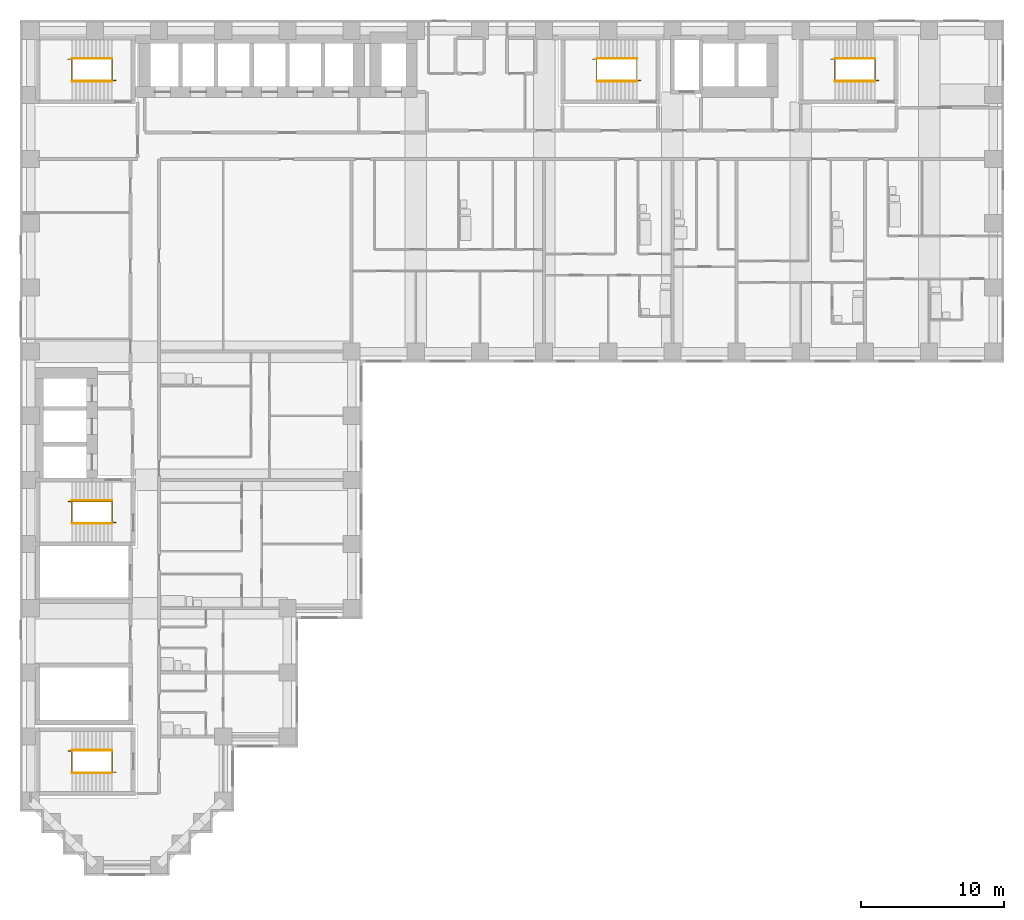
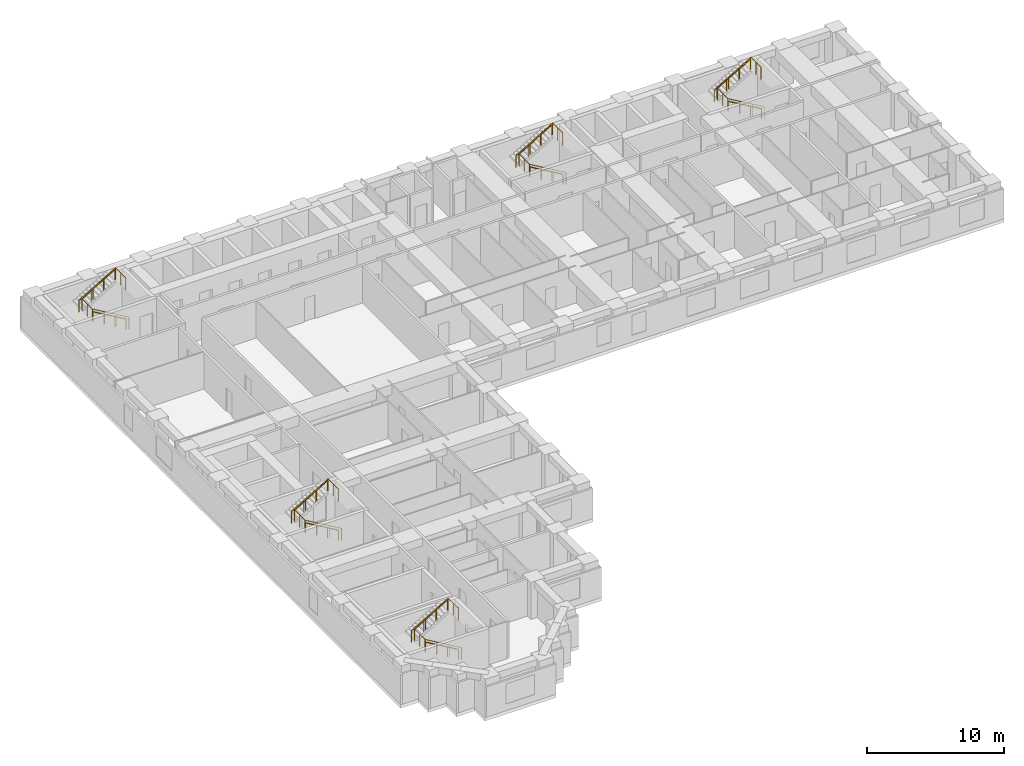
# One storey, part 11 of 12: 15 railings.
"""IFC4 building model written with IfcOpenShell, lengths in metres."""

from ifc_helpers import new_model, si_unit, direction, frame, origin, origin_2d, place, context, subcontext, project, spatial, circle, extrude, material, type_object, element, save


model = new_model("IFC4")

# Units and contexts
model_context = context("Model", 3, precision=1e-05, world=origin(), true_north=direction((0.0, 1.0)))
body_context = subcontext(model_context, "Body", "Model", "MODEL_VIEW")
ifc_project = project(units=[si_unit("LENGTHUNIT", "METRE"), si_unit("AREAUNIT", "SQUARE_METRE"), si_unit("VOLUMEUNIT", "CUBIC_METRE"), si_unit("PLANEANGLEUNIT", "RADIAN"), si_unit("MASSUNIT", "GRAM", prefix="KILO")], contexts=[model_context])

# Site, building, storey
site_placement = place(None, origin())
site = spatial("IfcSite", under=ifc_project, at=site_placement, CompositionType="ELEMENT")
building_placement = place(site_placement, origin())
building = spatial("IfcBuilding", under=site, at=building_placement, Name="Firuza Court", CompositionType="ELEMENT")
storey_placement = place(building_placement, frame((0.0, 0.0, 65.0)))
storey = spatial("IfcBuildingStorey", under=building, at=storey_placement, Name="L15", CompositionType="ELEMENT", Elevation=65.0)

# Railings
ifc_material_1 = material(Name="Steel S355", Category="steel")
railing_type_1 = type_object("IfcRailingType", Name="Handrail 900", PredefinedType="HANDRAIL", material=ifc_material_1)
railing_1_placement = place(storey_placement, frame((42.5, 54.949951171875, 0.16357421875)))
element("IfcRailing", 1, at=railing_1_placement, inside=storey, type_object=railing_type_1, Name="Handrail S1 flight 1", PredefinedType="HANDRAIL", context=body_context, shape_type="SweptSolid", body=[
    extrude(circle(Radius=0.02490234375, at=origin_2d()), frame((0.0, 0.0, 0.875), z_axis=(-0.863360870873, 0.0, 0.504586966384), x_axis=(0.0, -1.0, 0.0)), (0.0, 0.0, 1.0), 3.2431640625),
    extrude(circle(Radius=0.02001953125, at=origin_2d()), origin(), (0.0, 0.0, 1.0), 0.849853515625),
    extrude(circle(Radius=0.02001953125, at=origin_2d()), frame((-0.933349609375, 0.0, 0.54541015625)), (0.0, 0.0, 1.0), 0.849853515625),
    extrude(circle(Radius=0.02001953125, at=origin_2d()), frame((-1.86669921875, 0.0, 1.091064453125)), (0.0, 0.0, 1.0), 0.849853515625),
    extrude(circle(Radius=0.02001953125, at=origin_2d()), frame((-2.800048828125, 0.0, 1.636474609375)), (0.0, 0.0, 1.0), 0.849853515625),
])
railing_2_placement = place(storey_placement, frame((39.699951171875, 56.550048828125, 1.963623046875)))
element("IfcRailing", 2, at=railing_2_placement, inside=storey, type_object=railing_type_1, Name="Handrail S1 flight 2", PredefinedType="HANDRAIL", context=body_context, shape_type="SweptSolid", body=[
    extrude(circle(Radius=0.02490234375, at=origin_2d()), frame((0.0, 0.0, 0.875), z_axis=(0.863360870873, 0.0, 0.504586966384), x_axis=(0.0, 1.0, 0.0)), (0.0, 0.0, 1.0), 3.2431640625),
    extrude(circle(Radius=0.02001953125, at=origin_2d()), origin(), (0.0, 0.0, 1.0), 0.849853515625),
    extrude(circle(Radius=0.02001953125, at=origin_2d()), frame((0.933349609375, 0.0, 0.54541015625)), (0.0, 0.0, 1.0), 0.849853515625),
    extrude(circle(Radius=0.02001953125, at=origin_2d()), frame((1.86669921875, 0.0, 1.091064453125)), (0.0, 0.0, 1.0), 0.849853515625),
    extrude(circle(Radius=0.02001953125, at=origin_2d()), frame((2.800048828125, 0.0, 1.636474609375)), (0.0, 0.0, 1.0), 0.849853515625),
])
railing_3_placement = place(storey_placement, frame((5.699951171875, 23.949951171875, 0.16357421875)))
element("IfcRailing", 3, at=railing_3_placement, inside=storey, type_object=railing_type_1, Name="Handrail S2 flight 1", PredefinedType="HANDRAIL", context=body_context, shape_type="SweptSolid", body=[
    extrude(circle(Radius=0.02490234375, at=origin_2d()), frame((0.0, 0.0, 0.875), z_axis=(-0.863360870873, 0.0, 0.504586966384), x_axis=(0.0, -1.0, 0.0)), (0.0, 0.0, 1.0), 3.2431640625),
    extrude(circle(Radius=0.02001953125, at=origin_2d()), origin(), (0.0, 0.0, 1.0), 0.849853515625),
    extrude(circle(Radius=0.02001953125, at=origin_2d()), frame((-0.933349609375, 0.0, 0.54541015625)), (0.0, 0.0, 1.0), 0.849853515625),
    extrude(circle(Radius=0.02001953125, at=origin_2d()), frame((-1.86669921875, 0.0, 1.091064453125)), (0.0, 0.0, 1.0), 0.849853515625),
    extrude(circle(Radius=0.02001953125, at=origin_2d()), frame((-2.800048828125, 0.0, 1.636474609375)), (0.0, 0.0, 1.0), 0.849853515625),
])
railing_4_placement = place(storey_placement, frame((2.89990234375, 25.550048828125, 1.963623046875)))
element("IfcRailing", 4, at=railing_4_placement, inside=storey, type_object=railing_type_1, Name="Handrail S2 flight 2", PredefinedType="HANDRAIL", context=body_context, shape_type="SweptSolid", body=[
    extrude(circle(Radius=0.02490234375, at=origin_2d()), frame((0.0, 0.0, 0.875), z_axis=(0.863360870873, 0.0, 0.504586966384), x_axis=(0.0, 1.0, 0.0)), (0.0, 0.0, 1.0), 3.2431640625),
    extrude(circle(Radius=0.02001953125, at=origin_2d()), origin(), (0.0, 0.0, 1.0), 0.849853515625),
    extrude(circle(Radius=0.02001953125, at=origin_2d()), frame((0.933349609375, 0.0, 0.54541015625)), (0.0, 0.0, 1.0), 0.849853515625),
    extrude(circle(Radius=0.02001953125, at=origin_2d()), frame((1.86669921875, 0.0, 1.091064453125)), (0.0, 0.0, 1.0), 0.849853515625),
    extrude(circle(Radius=0.02001953125, at=origin_2d()), frame((2.800048828125, 0.0, 1.636474609375)), (0.0, 0.0, 1.0), 0.849853515625),
])
railing_5_placement = place(storey_placement, frame((5.699951171875, 54.949951171875, 0.16357421875)))
element("IfcRailing", 5, at=railing_5_placement, inside=storey, type_object=railing_type_1, Name="Handrail S3 flight 1", PredefinedType="HANDRAIL", context=body_context, shape_type="SweptSolid", body=[
    extrude(circle(Radius=0.02490234375, at=origin_2d()), frame((0.0, 0.0, 0.875), z_axis=(-0.863360870873, 0.0, 0.504586966384), x_axis=(0.0, -1.0, 0.0)), (0.0, 0.0, 1.0), 3.2431640625),
    extrude(circle(Radius=0.02001953125, at=origin_2d()), origin(), (0.0, 0.0, 1.0), 0.849853515625),
    extrude(circle(Radius=0.02001953125, at=origin_2d()), frame((-0.933349609375, 0.0, 0.54541015625)), (0.0, 0.0, 1.0), 0.849853515625),
    extrude(circle(Radius=0.02001953125, at=origin_2d()), frame((-1.86669921875, 0.0, 1.091064453125)), (0.0, 0.0, 1.0), 0.849853515625),
    extrude(circle(Radius=0.02001953125, at=origin_2d()), frame((-2.800048828125, 0.0, 1.636474609375)), (0.0, 0.0, 1.0), 0.849853515625),
])
railing_6_placement = place(storey_placement, frame((2.89990234375, 56.550048828125, 1.963623046875)))
element("IfcRailing", 6, at=railing_6_placement, inside=storey, type_object=railing_type_1, Name="Handrail S3 flight 2", PredefinedType="HANDRAIL", context=body_context, shape_type="SweptSolid", body=[
    extrude(circle(Radius=0.02490234375, at=origin_2d()), frame((0.0, 0.0, 0.875), z_axis=(0.863360870873, 0.0, 0.504586966384), x_axis=(0.0, 1.0, 0.0)), (0.0, 0.0, 1.0), 3.2431640625),
    extrude(circle(Radius=0.02001953125, at=origin_2d()), origin(), (0.0, 0.0, 1.0), 0.849853515625),
    extrude(circle(Radius=0.02001953125, at=origin_2d()), frame((0.933349609375, 0.0, 0.54541015625)), (0.0, 0.0, 1.0), 0.849853515625),
    extrude(circle(Radius=0.02001953125, at=origin_2d()), frame((1.86669921875, 0.0, 1.091064453125)), (0.0, 0.0, 1.0), 0.849853515625),
    extrude(circle(Radius=0.02001953125, at=origin_2d()), frame((2.800048828125, 0.0, 1.636474609375)), (0.0, 0.0, 1.0), 0.849853515625),
])
railing_7_placement = place(storey_placement, frame((59.199951171875, 54.949951171875, 0.16357421875)))
element("IfcRailing", 7, at=railing_7_placement, inside=storey, type_object=railing_type_1, Name="Handrail S4 flight 1", PredefinedType="HANDRAIL", context=body_context, shape_type="SweptSolid", body=[
    extrude(circle(Radius=0.02490234375, at=origin_2d()), frame((0.0, 0.0, 0.875), z_axis=(-0.863360870873, 0.0, 0.504586966384), x_axis=(0.0, -1.0, 0.0)), (0.0, 0.0, 1.0), 3.2431640625),
    extrude(circle(Radius=0.02001953125, at=origin_2d()), origin(), (0.0, 0.0, 1.0), 0.849853515625),
    extrude(circle(Radius=0.02001953125, at=origin_2d()), frame((-0.933349609375, 0.0, 0.54541015625)), (0.0, 0.0, 1.0), 0.849853515625),
    extrude(circle(Radius=0.02001953125, at=origin_2d()), frame((-1.86669921875, 0.0, 1.091064453125)), (0.0, 0.0, 1.0), 0.849853515625),
    extrude(circle(Radius=0.02001953125, at=origin_2d()), frame((-2.800048828125, 0.0, 1.636474609375)), (0.0, 0.0, 1.0), 0.849853515625),
])
railing_8_placement = place(storey_placement, frame((56.39990234375, 56.550048828125, 1.963623046875)))
element("IfcRailing", 8, at=railing_8_placement, inside=storey, type_object=railing_type_1, Name="Handrail S4 flight 2", PredefinedType="HANDRAIL", context=body_context, shape_type="SweptSolid", body=[
    extrude(circle(Radius=0.02490234375, at=origin_2d()), frame((0.0, 0.0, 0.875), z_axis=(0.863360870873, 0.0, 0.504586966384), x_axis=(0.0, 1.0, 0.0)), (0.0, 0.0, 1.0), 3.2431640625),
    extrude(circle(Radius=0.02001953125, at=origin_2d()), origin(), (0.0, 0.0, 1.0), 0.849853515625),
    extrude(circle(Radius=0.02001953125, at=origin_2d()), frame((0.933349609375, 0.0, 0.54541015625)), (0.0, 0.0, 1.0), 0.849853515625),
    extrude(circle(Radius=0.02001953125, at=origin_2d()), frame((1.86669921875, 0.0, 1.091064453125)), (0.0, 0.0, 1.0), 0.849853515625),
    extrude(circle(Radius=0.02001953125, at=origin_2d()), frame((2.800048828125, 0.0, 1.636474609375)), (0.0, 0.0, 1.0), 0.849853515625),
])
railing_9_placement = place(storey_placement, frame((5.699951171875, 6.449951171875, 0.16357421875)))
element("IfcRailing", 9, at=railing_9_placement, inside=storey, type_object=railing_type_1, Name="Handrail S5 flight 1", PredefinedType="HANDRAIL", context=body_context, shape_type="SweptSolid", body=[
    extrude(circle(Radius=0.02490234375, at=origin_2d()), frame((0.0, 0.0, 0.875), z_axis=(-0.863360870873, 0.0, 0.504586966384), x_axis=(0.0, -1.0, 0.0)), (0.0, 0.0, 1.0), 3.2431640625),
    extrude(circle(Radius=0.02001953125, at=origin_2d()), origin(), (0.0, 0.0, 1.0), 0.849853515625),
    extrude(circle(Radius=0.02001953125, at=origin_2d()), frame((-0.933349609375, 0.0, 0.54541015625)), (0.0, 0.0, 1.0), 0.849853515625),
    extrude(circle(Radius=0.02001953125, at=origin_2d()), frame((-1.86669921875, 0.0, 1.091064453125)), (0.0, 0.0, 1.0), 0.849853515625),
    extrude(circle(Radius=0.02001953125, at=origin_2d()), frame((-2.800048828125, 0.0, 1.636474609375)), (0.0, 0.0, 1.0), 0.849853515625),
])
railing_10_placement = place(storey_placement, frame((2.89990234375, 8.050048828125, 1.963623046875)))
element("IfcRailing", 10, at=railing_10_placement, inside=storey, type_object=railing_type_1, Name="Handrail S5 flight 2", PredefinedType="HANDRAIL", context=body_context, shape_type="SweptSolid", body=[
    extrude(circle(Radius=0.02490234375, at=origin_2d()), frame((0.0, 0.0, 0.875), z_axis=(0.863360870873, 0.0, 0.504586966384), x_axis=(0.0, 1.0, 0.0)), (0.0, 0.0, 1.0), 3.2431640625),
    extrude(circle(Radius=0.02001953125, at=origin_2d()), origin(), (0.0, 0.0, 1.0), 0.849853515625),
    extrude(circle(Radius=0.02001953125, at=origin_2d()), frame((0.933349609375, 0.0, 0.54541015625)), (0.0, 0.0, 1.0), 0.849853515625),
    extrude(circle(Radius=0.02001953125, at=origin_2d()), frame((1.86669921875, 0.0, 1.091064453125)), (0.0, 0.0, 1.0), 0.849853515625),
    extrude(circle(Radius=0.02001953125, at=origin_2d()), frame((2.800048828125, 0.0, 1.636474609375)), (0.0, 0.0, 1.0), 0.849853515625),
])
ifc_material_2 = material(Name="Steel S355", Category="steel")
railing_type_2 = type_object("IfcRailingType", Name="Stair guard 1100", PredefinedType="GUARDRAIL", material=ifc_material_2)
railing_11_placement = place(storey_placement, frame((42.780029296875, 55.010009765625, 0.0)))
element("IfcRailing", 11, at=railing_11_placement, inside=storey, type_object=railing_type_2, Name="Stair well guard S1", PredefinedType="GUARDRAIL", context=body_context, shape_type="SweptSolid", body=[
    extrude(circle(Radius=0.02490234375, at=origin_2d()), frame((0.0, 0.0, 1.0751953125), z_axis=(-0.863371556955, 0.0, 0.504568681787), x_axis=(0.0, -1.0, 0.0)), (0.0, 0.0, 1.0), 3.5673828125),
    extrude(circle(Radius=0.02490234375, at=origin_2d()), frame((-3.080078125, 0.0, 2.875), z_axis=(0.0, 1.0, 0.0), x_axis=(-1.0, 0.0, 0.0)), (0.0, 0.0, 1.0), 1.47998046875),
    extrude(circle(Radius=0.02490234375, at=origin_2d()), frame((-3.080078125, 1.47998046875, 2.875), z_axis=(-1.0, 0.0, 0.0), x_axis=(0.0, -1.0, 0.0)), (0.0, 0.0, 1.0), 0.280029296875),
    extrude(circle(Radius=0.02490234375, at=origin_2d()), frame((-3.360107421875, 1.47998046875, 2.875), z_axis=(0.863371556955, 0.0, 0.504568681787), x_axis=(0.0, 1.0, 0.0)), (0.0, 0.0, 1.0), 3.5673828125),
    extrude(circle(Radius=0.02490234375, at=origin_2d()), frame((-0.280029296875, 1.47998046875, 4.67529296875), z_axis=(0.0, -1.0, 0.0), x_axis=(1.0, 0.0, 0.0)), (0.0, 0.0, 1.0), 1.47998046875),
    extrude(circle(Radius=0.02490234375, at=origin_2d()), origin(), (0.0, 0.0, 1.0), 1.050048828125),
    extrude(circle(Radius=0.02490234375, at=origin_2d()), frame((-1.026611328125, 0.0, 0.60009765625)), (0.0, 0.0, 1.0), 1.050048828125),
    extrude(circle(Radius=0.02490234375, at=origin_2d()), frame((-2.053466796875, 0.0, 1.199951171875)), (0.0, 0.0, 1.0), 1.050048828125),
    extrude(circle(Radius=0.02490234375, at=origin_2d()), frame((-3.080078125, 0.0, 1.800048828125)), (0.0, 0.0, 1.0), 1.050048828125),
    extrude(circle(Radius=0.02490234375, at=origin_2d()), frame((-3.080078125, 0.739990234375, 1.800048828125)), (0.0, 0.0, 1.0), 1.050048828125),
    extrude(circle(Radius=0.02490234375, at=origin_2d()), frame((-3.080078125, 1.47998046875, 1.800048828125)), (0.0, 0.0, 1.0), 1.050048828125),
    extrude(circle(Radius=0.02490234375, at=origin_2d()), frame((-3.360107421875, 1.47998046875, 1.800048828125)), (0.0, 0.0, 1.0), 1.050048828125),
    extrude(circle(Radius=0.02490234375, at=origin_2d()), frame((-2.33349609375, 1.47998046875, 2.400146484375)), (0.0, 0.0, 1.0), 1.050048828125),
    extrude(circle(Radius=0.02490234375, at=origin_2d()), frame((-1.306640625, 1.47998046875, 3.0)), (0.0, 0.0, 1.0), 1.050048828125),
    extrude(circle(Radius=0.02490234375, at=origin_2d()), frame((-0.280029296875, 1.47998046875, 3.60009765625)), (0.0, 0.0, 1.0), 1.050048828125),
    extrude(circle(Radius=0.02490234375, at=origin_2d()), frame((-0.280029296875, 0.739990234375, 3.60009765625)), (0.0, 0.0, 1.0), 1.050048828125),
    extrude(circle(Radius=0.02490234375, at=origin_2d()), frame((-0.280029296875, 0.0, 3.60009765625)), (0.0, 0.0, 1.0), 1.050048828125),
])
railing_12_placement = place(storey_placement, frame((5.97998046875, 24.010009765625, 0.0)))
element("IfcRailing", 12, at=railing_12_placement, inside=storey, type_object=railing_type_2, Name="Stair well guard S2", PredefinedType="GUARDRAIL", context=body_context, shape_type="SweptSolid", body=[
    extrude(circle(Radius=0.02490234375, at=origin_2d()), frame((0.0, 0.0, 1.0751953125), z_axis=(-0.863371556955, 0.0, 0.504568681787), x_axis=(0.0, -1.0, 0.0)), (0.0, 0.0, 1.0), 3.5673828125),
    extrude(circle(Radius=0.02490234375, at=origin_2d()), frame((-3.080078125, 0.0, 2.875), z_axis=(0.0, 1.0, 0.0), x_axis=(-1.0, 0.0, 0.0)), (0.0, 0.0, 1.0), 1.47998046875),
    extrude(circle(Radius=0.02490234375, at=origin_2d()), frame((-3.080078125, 1.47998046875, 2.875), z_axis=(-1.0, 0.0, 0.0), x_axis=(0.0, -1.0, 0.0)), (0.0, 0.0, 1.0), 0.27978515625),
    extrude(circle(Radius=0.02490234375, at=origin_2d()), frame((-3.35986328125, 1.47998046875, 2.875), z_axis=(0.863354132664, 0.0, 0.504598495452), x_axis=(0.0, 1.0, 0.0)), (0.0, 0.0, 1.0), 3.5673828125),
    extrude(circle(Radius=0.02490234375, at=origin_2d()), frame((-0.280029296875, 1.47998046875, 4.67529296875), z_axis=(0.0, -1.0, 0.0), x_axis=(1.0, 0.0, 0.0)), (0.0, 0.0, 1.0), 1.47998046875),
    extrude(circle(Radius=0.02490234375, at=origin_2d()), origin(), (0.0, 0.0, 1.0), 1.050048828125),
    extrude(circle(Radius=0.02490234375, at=origin_2d()), frame((-1.026611328125, 0.0, 0.60009765625)), (0.0, 0.0, 1.0), 1.050048828125),
    extrude(circle(Radius=0.02490234375, at=origin_2d()), frame((-2.053466796875, 0.0, 1.199951171875)), (0.0, 0.0, 1.0), 1.050048828125),
    extrude(circle(Radius=0.02490234375, at=origin_2d()), frame((-3.080078125, 0.0, 1.800048828125)), (0.0, 0.0, 1.0), 1.050048828125),
    extrude(circle(Radius=0.02490234375, at=origin_2d()), frame((-3.080078125, 0.739990234375, 1.800048828125)), (0.0, 0.0, 1.0), 1.050048828125),
    extrude(circle(Radius=0.02490234375, at=origin_2d()), frame((-3.080078125, 1.47998046875, 1.800048828125)), (0.0, 0.0, 1.0), 1.050048828125),
    extrude(circle(Radius=0.02490234375, at=origin_2d()), frame((-3.35986328125, 1.47998046875, 1.800048828125)), (0.0, 0.0, 1.0), 1.050048828125),
    extrude(circle(Radius=0.02490234375, at=origin_2d()), frame((-2.333251953125, 1.47998046875, 2.400146484375)), (0.0, 0.0, 1.0), 1.050048828125),
    extrude(circle(Radius=0.02490234375, at=origin_2d()), frame((-1.306640625, 1.47998046875, 3.0)), (0.0, 0.0, 1.0), 1.050048828125),
    extrude(circle(Radius=0.02490234375, at=origin_2d()), frame((-0.280029296875, 1.47998046875, 3.60009765625)), (0.0, 0.0, 1.0), 1.050048828125),
    extrude(circle(Radius=0.02490234375, at=origin_2d()), frame((-0.280029296875, 0.739990234375, 3.60009765625)), (0.0, 0.0, 1.0), 1.050048828125),
    extrude(circle(Radius=0.02490234375, at=origin_2d()), frame((-0.280029296875, 0.0, 3.60009765625)), (0.0, 0.0, 1.0), 1.050048828125),
])
railing_13_placement = place(storey_placement, frame((5.97998046875, 55.010009765625, 0.0)))
element("IfcRailing", 13, at=railing_13_placement, inside=storey, type_object=railing_type_2, Name="Stair well guard S3", PredefinedType="GUARDRAIL", context=body_context, shape_type="SweptSolid", body=[
    extrude(circle(Radius=0.02490234375, at=origin_2d()), frame((0.0, 0.0, 1.0751953125), z_axis=(-0.863371556955, 0.0, 0.504568681787), x_axis=(0.0, -1.0, 0.0)), (0.0, 0.0, 1.0), 3.5673828125),
    extrude(circle(Radius=0.02490234375, at=origin_2d()), frame((-3.080078125, 0.0, 2.875), z_axis=(0.0, 1.0, 0.0), x_axis=(-1.0, 0.0, 0.0)), (0.0, 0.0, 1.0), 1.47998046875),
    extrude(circle(Radius=0.02490234375, at=origin_2d()), frame((-3.080078125, 1.47998046875, 2.875), z_axis=(-1.0, 0.0, 0.0), x_axis=(0.0, -1.0, 0.0)), (0.0, 0.0, 1.0), 0.27978515625),
    extrude(circle(Radius=0.02490234375, at=origin_2d()), frame((-3.35986328125, 1.47998046875, 2.875), z_axis=(0.863354132664, 0.0, 0.504598495452), x_axis=(0.0, 1.0, 0.0)), (0.0, 0.0, 1.0), 3.5673828125),
    extrude(circle(Radius=0.02490234375, at=origin_2d()), frame((-0.280029296875, 1.47998046875, 4.67529296875), z_axis=(0.0, -1.0, 0.0), x_axis=(1.0, 0.0, 0.0)), (0.0, 0.0, 1.0), 1.47998046875),
    extrude(circle(Radius=0.02490234375, at=origin_2d()), origin(), (0.0, 0.0, 1.0), 1.050048828125),
    extrude(circle(Radius=0.02490234375, at=origin_2d()), frame((-1.026611328125, 0.0, 0.60009765625)), (0.0, 0.0, 1.0), 1.050048828125),
    extrude(circle(Radius=0.02490234375, at=origin_2d()), frame((-2.053466796875, 0.0, 1.199951171875)), (0.0, 0.0, 1.0), 1.050048828125),
    extrude(circle(Radius=0.02490234375, at=origin_2d()), frame((-3.080078125, 0.0, 1.800048828125)), (0.0, 0.0, 1.0), 1.050048828125),
    extrude(circle(Radius=0.02490234375, at=origin_2d()), frame((-3.080078125, 0.739990234375, 1.800048828125)), (0.0, 0.0, 1.0), 1.050048828125),
    extrude(circle(Radius=0.02490234375, at=origin_2d()), frame((-3.080078125, 1.47998046875, 1.800048828125)), (0.0, 0.0, 1.0), 1.050048828125),
    extrude(circle(Radius=0.02490234375, at=origin_2d()), frame((-3.35986328125, 1.47998046875, 1.800048828125)), (0.0, 0.0, 1.0), 1.050048828125),
    extrude(circle(Radius=0.02490234375, at=origin_2d()), frame((-2.333251953125, 1.47998046875, 2.400146484375)), (0.0, 0.0, 1.0), 1.050048828125),
    extrude(circle(Radius=0.02490234375, at=origin_2d()), frame((-1.306640625, 1.47998046875, 3.0)), (0.0, 0.0, 1.0), 1.050048828125),
    extrude(circle(Radius=0.02490234375, at=origin_2d()), frame((-0.280029296875, 1.47998046875, 3.60009765625)), (0.0, 0.0, 1.0), 1.050048828125),
    extrude(circle(Radius=0.02490234375, at=origin_2d()), frame((-0.280029296875, 0.739990234375, 3.60009765625)), (0.0, 0.0, 1.0), 1.050048828125),
    extrude(circle(Radius=0.02490234375, at=origin_2d()), frame((-0.280029296875, 0.0, 3.60009765625)), (0.0, 0.0, 1.0), 1.050048828125),
])
railing_14_placement = place(storey_placement, frame((59.47998046875, 55.010009765625, 0.0)))
element("IfcRailing", 14, at=railing_14_placement, inside=storey, type_object=railing_type_2, Name="Stair well guard S4", PredefinedType="GUARDRAIL", context=body_context, shape_type="SweptSolid", body=[
    extrude(circle(Radius=0.02490234375, at=origin_2d()), frame((0.0, 0.0, 1.0751953125), z_axis=(-0.863371556955, 0.0, 0.504568681787), x_axis=(0.0, -1.0, 0.0)), (0.0, 0.0, 1.0), 3.5673828125),
    extrude(circle(Radius=0.02490234375, at=origin_2d()), frame((-3.080078125, 0.0, 2.875), z_axis=(0.0, 1.0, 0.0), x_axis=(-1.0, 0.0, 0.0)), (0.0, 0.0, 1.0), 1.47998046875),
    extrude(circle(Radius=0.02490234375, at=origin_2d()), frame((-3.080078125, 1.47998046875, 2.875), z_axis=(-1.0, 0.0, 0.0), x_axis=(0.0, -1.0, 0.0)), (0.0, 0.0, 1.0), 0.27978515625),
    extrude(circle(Radius=0.02490234375, at=origin_2d()), frame((-3.35986328125, 1.47998046875, 2.875), z_axis=(0.863354132664, 0.0, 0.504598495452), x_axis=(0.0, 1.0, 0.0)), (0.0, 0.0, 1.0), 3.5673828125),
    extrude(circle(Radius=0.02490234375, at=origin_2d()), frame((-0.280029296875, 1.47998046875, 4.67529296875), z_axis=(0.0, -1.0, 0.0), x_axis=(1.0, 0.0, 0.0)), (0.0, 0.0, 1.0), 1.47998046875),
    extrude(circle(Radius=0.02490234375, at=origin_2d()), origin(), (0.0, 0.0, 1.0), 1.050048828125),
    extrude(circle(Radius=0.02490234375, at=origin_2d()), frame((-1.026611328125, 0.0, 0.60009765625)), (0.0, 0.0, 1.0), 1.050048828125),
    extrude(circle(Radius=0.02490234375, at=origin_2d()), frame((-2.053466796875, 0.0, 1.199951171875)), (0.0, 0.0, 1.0), 1.050048828125),
    extrude(circle(Radius=0.02490234375, at=origin_2d()), frame((-3.080078125, 0.0, 1.800048828125)), (0.0, 0.0, 1.0), 1.050048828125),
    extrude(circle(Radius=0.02490234375, at=origin_2d()), frame((-3.080078125, 0.739990234375, 1.800048828125)), (0.0, 0.0, 1.0), 1.050048828125),
    extrude(circle(Radius=0.02490234375, at=origin_2d()), frame((-3.080078125, 1.47998046875, 1.800048828125)), (0.0, 0.0, 1.0), 1.050048828125),
    extrude(circle(Radius=0.02490234375, at=origin_2d()), frame((-3.35986328125, 1.47998046875, 1.800048828125)), (0.0, 0.0, 1.0), 1.050048828125),
    extrude(circle(Radius=0.02490234375, at=origin_2d()), frame((-2.333251953125, 1.47998046875, 2.400146484375)), (0.0, 0.0, 1.0), 1.050048828125),
    extrude(circle(Radius=0.02490234375, at=origin_2d()), frame((-1.306640625, 1.47998046875, 3.0)), (0.0, 0.0, 1.0), 1.050048828125),
    extrude(circle(Radius=0.02490234375, at=origin_2d()), frame((-0.280029296875, 1.47998046875, 3.60009765625)), (0.0, 0.0, 1.0), 1.050048828125),
    extrude(circle(Radius=0.02490234375, at=origin_2d()), frame((-0.280029296875, 0.739990234375, 3.60009765625)), (0.0, 0.0, 1.0), 1.050048828125),
    extrude(circle(Radius=0.02490234375, at=origin_2d()), frame((-0.280029296875, 0.0, 3.60009765625)), (0.0, 0.0, 1.0), 1.050048828125),
])
railing_15_placement = place(storey_placement, frame((5.97998046875, 6.510009765625, 0.0)))
element("IfcRailing", 15, at=railing_15_placement, inside=storey, type_object=railing_type_2, Name="Stair well guard S5", PredefinedType="GUARDRAIL", context=body_context, shape_type="SweptSolid", body=[
    extrude(circle(Radius=0.02490234375, at=origin_2d()), frame((0.0, 0.0, 1.0751953125), z_axis=(-0.863371556955, 0.0, 0.504568681787), x_axis=(0.0, -1.0, 0.0)), (0.0, 0.0, 1.0), 3.5673828125),
    extrude(circle(Radius=0.02490234375, at=origin_2d()), frame((-3.080078125, 0.0, 2.875), z_axis=(0.0, 1.0, 0.0), x_axis=(-1.0, 0.0, 0.0)), (0.0, 0.0, 1.0), 1.47998046875),
    extrude(circle(Radius=0.02490234375, at=origin_2d()), frame((-3.080078125, 1.47998046875, 2.875), z_axis=(-1.0, 0.0, 0.0), x_axis=(0.0, -1.0, 0.0)), (0.0, 0.0, 1.0), 0.27978515625),
    extrude(circle(Radius=0.02490234375, at=origin_2d()), frame((-3.35986328125, 1.47998046875, 2.875), z_axis=(0.863354132664, 0.0, 0.504598495452), x_axis=(0.0, 1.0, 0.0)), (0.0, 0.0, 1.0), 3.5673828125),
    extrude(circle(Radius=0.02490234375, at=origin_2d()), frame((-0.280029296875, 1.47998046875, 4.67529296875), z_axis=(0.0, -1.0, 0.0), x_axis=(1.0, 0.0, 0.0)), (0.0, 0.0, 1.0), 1.47998046875),
    extrude(circle(Radius=0.02490234375, at=origin_2d()), origin(), (0.0, 0.0, 1.0), 1.050048828125),
    extrude(circle(Radius=0.02490234375, at=origin_2d()), frame((-1.026611328125, 0.0, 0.60009765625)), (0.0, 0.0, 1.0), 1.050048828125),
    extrude(circle(Radius=0.02490234375, at=origin_2d()), frame((-2.053466796875, 0.0, 1.199951171875)), (0.0, 0.0, 1.0), 1.050048828125),
    extrude(circle(Radius=0.02490234375, at=origin_2d()), frame((-3.080078125, 0.0, 1.800048828125)), (0.0, 0.0, 1.0), 1.050048828125),
    extrude(circle(Radius=0.02490234375, at=origin_2d()), frame((-3.080078125, 0.739990234375, 1.800048828125)), (0.0, 0.0, 1.0), 1.050048828125),
    extrude(circle(Radius=0.02490234375, at=origin_2d()), frame((-3.080078125, 1.47998046875, 1.800048828125)), (0.0, 0.0, 1.0), 1.050048828125),
    extrude(circle(Radius=0.02490234375, at=origin_2d()), frame((-3.35986328125, 1.47998046875, 1.800048828125)), (0.0, 0.0, 1.0), 1.050048828125),
    extrude(circle(Radius=0.02490234375, at=origin_2d()), frame((-2.333251953125, 1.47998046875, 2.400146484375)), (0.0, 0.0, 1.0), 1.050048828125),
    extrude(circle(Radius=0.02490234375, at=origin_2d()), frame((-1.306640625, 1.47998046875, 3.0)), (0.0, 0.0, 1.0), 1.050048828125),
    extrude(circle(Radius=0.02490234375, at=origin_2d()), frame((-0.280029296875, 1.47998046875, 3.60009765625)), (0.0, 0.0, 1.0), 1.050048828125),
    extrude(circle(Radius=0.02490234375, at=origin_2d()), frame((-0.280029296875, 0.739990234375, 3.60009765625)), (0.0, 0.0, 1.0), 1.050048828125),
    extrude(circle(Radius=0.02490234375, at=origin_2d()), frame((-0.280029296875, 0.0, 3.60009765625)), (0.0, 0.0, 1.0), 1.050048828125),
])

save(model, "model.ifc")
